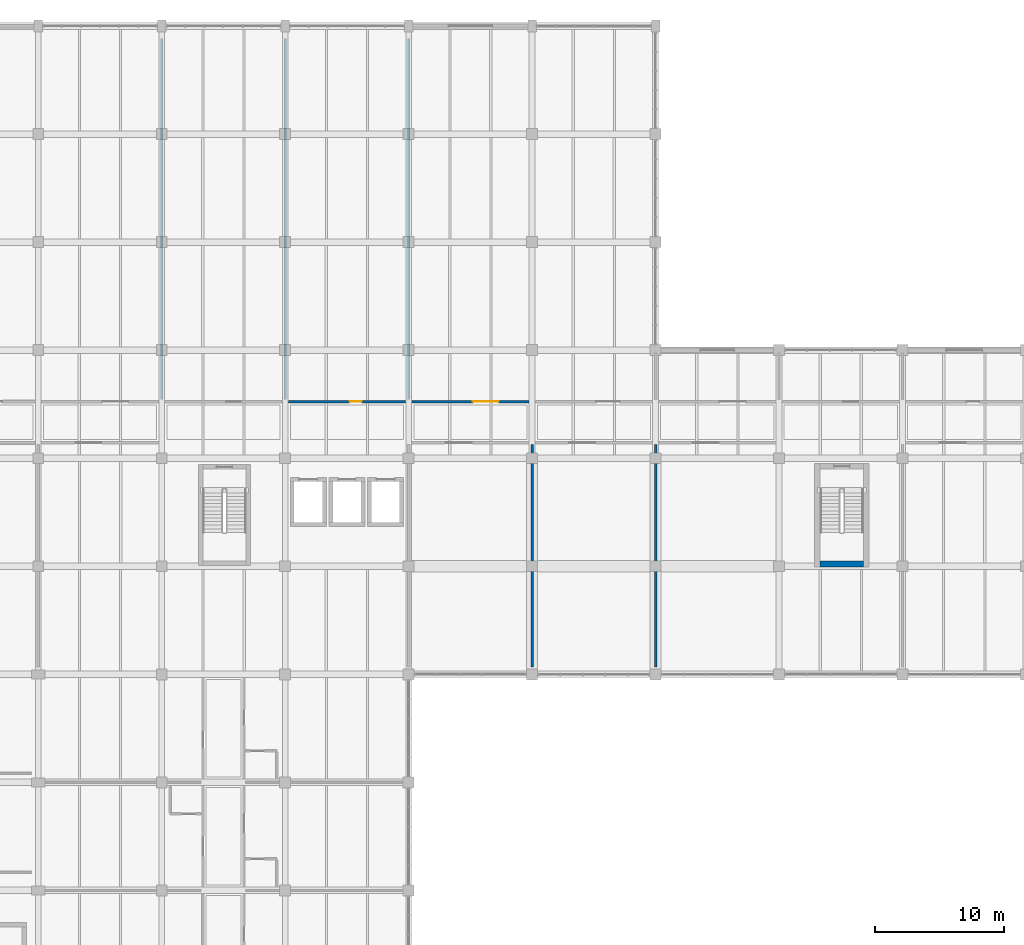
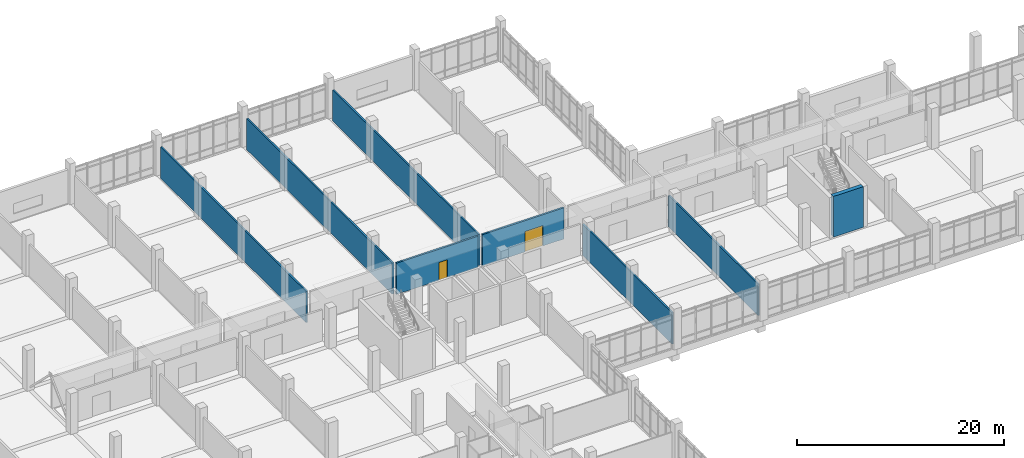
# One storey, part 124 of 152: 8 walls, 2 doors, 2 openings.
"""IFC4 building model written with IfcOpenShell, lengths in metres."""

from ifc_helpers import new_model, si_unit, direction, frame, frame_2d, origin, place, context, subcontext, project, spatial, rectangle, extrude, material, layer, layer_set, type_object, element, fill, save


model = new_model("IFC4")

# Units and contexts
model_context = context("Model", 3, precision=1e-05, world=origin(), true_north=direction((0.0, 1.0)))
body_context = subcontext(model_context, "Body", "Model", "MODEL_VIEW")
ifc_project = project(units=[si_unit("LENGTHUNIT", "METRE"), si_unit("AREAUNIT", "SQUARE_METRE"), si_unit("VOLUMEUNIT", "CUBIC_METRE"), si_unit("PLANEANGLEUNIT", "RADIAN"), si_unit("MASSUNIT", "GRAM", prefix="KILO")], contexts=[model_context])

# Site, building, storey
site_placement = place(None, origin())
site = spatial("IfcSite", under=ifc_project, at=site_placement, CompositionType="ELEMENT")
building_placement = place(site_placement, origin())
building = spatial("IfcBuilding", under=site, at=building_placement, Name="Oolite Switchyard Hospital", CompositionType="ELEMENT")
storey_placement = place(building_placement, frame((0.0, 0.0, 5.10009765625)))
storey = spatial("IfcBuildingStorey", under=building, at=storey_placement, Name="L01", CompositionType="ELEMENT", Elevation=5.10009765625)

# Walls
ifc_material_1 = material(Name="Moisture-resistant gypsum board on steel studs", Category="steel")
ifc_layer_1 = layer(ifc_material_1, 0.179931640625)
ifc_layer_set_1 = layer_set([ifc_layer_1], Name="WAL-PART-180")
wall_type_1 = type_object("IfcWallType", Name="WAL-PART-180", PredefinedType="PARTITIONING", material=ifc_layer_set_1)
for number, where, z_axis, x_axis, name in (
    (1, (38.39990234375, 105.35009765625, 0.0), (0.0, 0.0, 1.0), (0.0, 1.0, 0.0), "L01 Interior Partition 173"),
    (2, (48.0, 105.35009765625, 0.0), (0.0, 0.0, 1.0), (0.0, 1.0, 0.0), "L01 Interior Partition 175"),
    (3, (57.60009765625, 105.35009765625, 0.0), (0.0, 0.0, 1.0), (0.0, 1.0, 0.0), "L01 Interior Partition 179"),
):
    element("IfcWall", number, at=place(storey_placement, frame(where, z_axis=z_axis, x_axis=x_axis)), inside=storey, type_object=wall_type_1, Name=name, PredefinedType="PARTITIONING", context=body_context, shape_type="SweptSolid", body=[
        extrude(rectangle(XDim=28.099853515625, YDim=0.179931640625, at=frame_2d((14.0498046875, 0.0))), origin(), (0.0, 0.0, 1.0), 3.679931640625),
    ])
for number, where, z_axis, x_axis, name in (
    (4, (67.199951171875, 84.550048828125, 0.0), (0.0, 0.0, 1.0), (0.0, 1.0, 0.0), "L01 Interior Partition 181"),
    (5, (76.800048828125, 84.550048828125, 0.0), (0.0, 0.0, 1.0), (0.0, 1.0, 0.0), "L01 Interior Partition 185"),
):
    element("IfcWall", number, at=place(storey_placement, frame(where, z_axis=z_axis, x_axis=x_axis)), inside=storey, type_object=wall_type_1, Name=name, PredefinedType="PARTITIONING", context=body_context, shape_type="SweptSolid", body=[
        extrude(rectangle(XDim=17.300048828125, YDim=0.179931640625, at=frame_2d((8.64990234375, 0.0))), origin(), (0.0, 0.0, 1.0), 3.679931640625),
    ])
ifc_material_2 = material(Name="Concrete C50/60", Category="concrete")
ifc_layer_2 = layer(ifc_material_2, 0.449951171875)
ifc_layer_set_2 = layer_set([ifc_layer_2], Name="WAL-SHR-450")
wall_type_2 = type_object("IfcWallType", Name="WAL-SHR-450", PredefinedType="SHEAR", material=ifc_layer_set_2)
wall_1_placement = place(storey_placement, frame((89.60009765625, 92.574951171875, 0.0), z_axis=(0.0, 0.0, 1.0), x_axis=(1.0, 0.0, 0.0)))
element("IfcWall", 6, at=wall_1_placement, inside=storey, type_object=wall_type_2, Name="L01 Core Shear Wall ST-09", PredefinedType="SHEAR", context=body_context, shape_type="SweptSolid", body=[
    extrude(rectangle(XDim=3.35986328125, YDim=0.449951171875, at=frame_2d((1.679931640625, 0.0))), origin(), (0.0, 0.0, 1.0), 4.7998046875),
])

# Wall, opening, door
ifc_layer_3 = layer(ifc_material_1, 0.199951171875)
ifc_layer_set_3 = layer_set([ifc_layer_3], Name="WAL-SMK-200")
wall_type_3 = type_object("IfcWallType", Name="WAL-SMK-200", PredefinedType="PARTITIONING", material=ifc_layer_set_3)
wall_2_placement = place(storey_placement, frame((48.25, 105.199951171875, 0.0), z_axis=(0.0, 0.0, 1.0), x_axis=(1.0, 0.0, 0.0)))
wall_2 = element("IfcWall", 7, at=wall_2_placement, inside=storey, type_object=wall_type_3, Name="L01 Interior Partition 174", PredefinedType="PARTITIONING", context=body_context, shape_type="SweptSolid", body=[
    extrude(rectangle(XDim=9.10009765625, YDim=0.199951171875, at=frame_2d((4.550048828125, 0.0))), origin(), (0.0, 0.0, 1.0), 3.679931640625),
])
opening_1_placement = place(wall_2_placement, frame((4.75, 0.0, 0.0)))
opening_1 = element("IfcOpeningElement", 8, at=opening_1_placement, cuts=wall_2, Name="Opening D-0107", PredefinedType="OPENING", context=body_context, shape_type="SweptSolid", body=[
    extrude(rectangle(XDim=0.949951171875, YDim=2.10009765625, at=frame_2d((0.47509765625, 1.050048828125))), frame((0.0, 0.10986328125, 0.0), z_axis=(0.0, -1.0, 0.0), x_axis=(1.0, 0.0, 0.0)), (0.0, 0.0, 1.0), 0.219970703125),
])
ifc_material_3 = material(Name="Solid-core antimicrobial hardwood leaf in steel frame", Category="steel")
door_type_1 = type_object("IfcDoorType", Name="DR-BATH-095X210", OperationType="NOTDEFINED", PredefinedType="DOOR", material=ifc_material_3)
door_1_placement = place(opening_1_placement, origin())
door_1 = element("IfcDoor", 9, at=door_1_placement, inside=storey, type_object=door_type_1, Name="L01 Interior Door D-0107", OperationType="SINGLE_SWING_RIGHT", OverallHeight=2.10009765625, OverallWidth=0.949951171875, PredefinedType="DOOR", context=body_context, shape_type="SweptSolid", body=[
    extrude(rectangle(XDim=0.949951171875, YDim=2.10009765625, at=frame_2d((0.47509765625, 1.050048828125))), frame((0.0, 0.02490234375, 0.0), z_axis=(0.0, -1.0, 0.0), x_axis=(1.0, 0.0, 0.0)), (0.0, 0.0, 1.0), 0.050048828125),
])
fill(opening_1, door_1)

wall_3_placement = place(storey_placement, frame((57.85009765625, 105.199951171875, 0.0), z_axis=(0.0, 0.0, 1.0), x_axis=(1.0, 0.0, 0.0)))
wall_3 = element("IfcWall", 10, at=wall_3_placement, inside=storey, type_object=wall_type_3, Name="L01 Interior Partition 178", PredefinedType="PARTITIONING", context=body_context, shape_type="SweptSolid", body=[
    extrude(rectangle(XDim=9.099853515625, YDim=0.199951171875, at=frame_2d((4.5498046875, 0.0))), origin(), (0.0, 0.0, 1.0), 3.679931640625),
])
opening_2_placement = place(wall_3_placement, frame((4.75, 0.0, 0.0)))
opening_2 = element("IfcOpeningElement", 11, at=opening_2_placement, cuts=wall_3, Name="Opening D-0109", PredefinedType="OPENING", context=body_context, shape_type="SweptSolid", body=[
    extrude(rectangle(XDim=2.0, YDim=2.39990234375, at=frame_2d((1.0, 1.199951171875))), frame((0.0, 0.10986328125, 0.0), z_axis=(0.0, -1.0, 0.0), x_axis=(1.0, 0.0, 0.0)), (0.0, 0.0, 1.0), 0.219970703125),
])
ifc_material_4 = material(Name="Hollow metal fire-rated steel door assembly", Category="steel")
door_type_2 = type_object("IfcDoorType", Name="DR-OR-200X240", OperationType="NOTDEFINED", PredefinedType="DOOR", material=ifc_material_4)
door_2_placement = place(opening_2_placement, origin())
door_2 = element("IfcDoor", 12, at=door_2_placement, inside=storey, type_object=door_type_2, Name="L01 Interior Door D-0109", OperationType="DOUBLE_DOOR_SINGLE_SWING", OverallHeight=2.39990234375, OverallWidth=2.0, PredefinedType="DOOR", context=body_context, shape_type="SweptSolid", body=[
    extrude(rectangle(XDim=2.0, YDim=2.39990234375, at=frame_2d((1.0, 1.199951171875))), frame((0.0, 0.02490234375, 0.0), z_axis=(0.0, -1.0, 0.0), x_axis=(1.0, 0.0, 0.0)), (0.0, 0.0, 1.0), 0.050048828125),
])
fill(opening_2, door_2)

save(model, "model.ifc")
